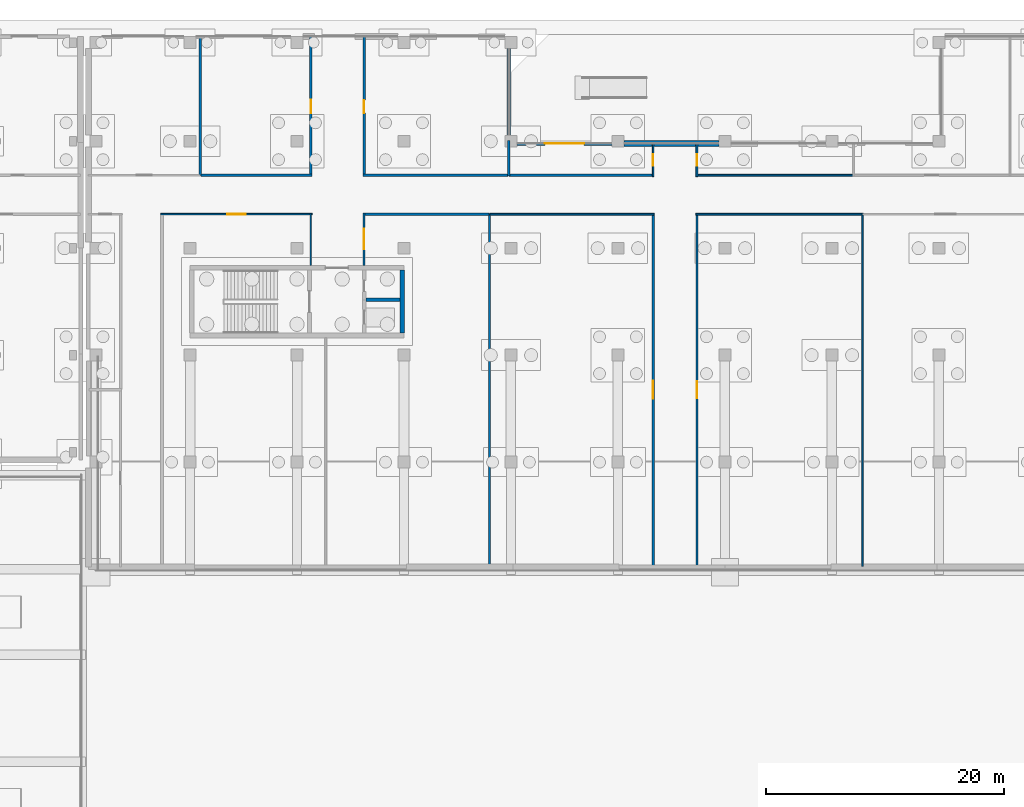
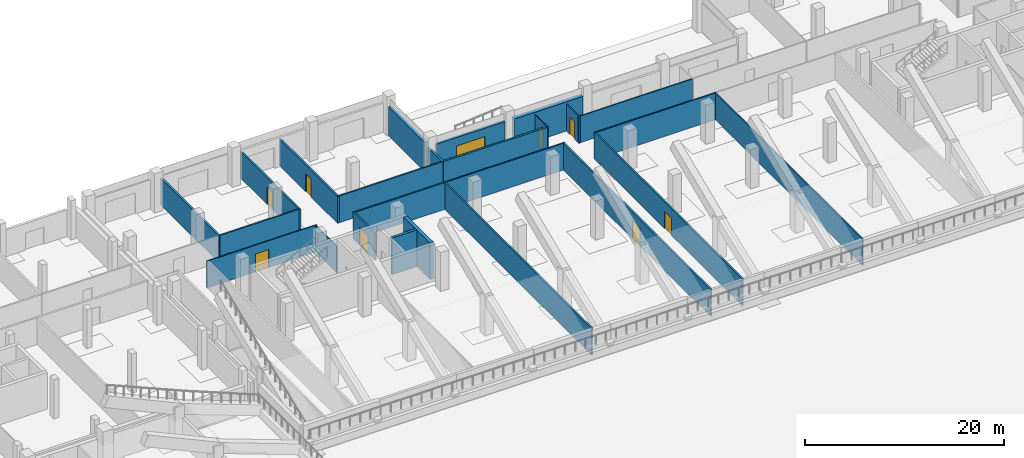
# One storey, part 35 of 53: 25 walls, 9 doors, 9 openings.
"""IFC4 building model written with IfcOpenShell, lengths in metres."""

from ifc_helpers import new_model, si_unit, direction, frame, frame_2d, origin, place, context, subcontext, project, spatial, rectangle, extrude, material, layer, layer_set, type_object, element, fill, save


model = new_model("IFC4")

# Units and contexts
model_context = context("Model", 3, precision=1e-05, world=origin(), true_north=direction((0.0, 1.0)))
body_context = subcontext(model_context, "Body", "Model", "MODEL_VIEW")
ifc_project = project(units=[si_unit("LENGTHUNIT", "METRE"), si_unit("AREAUNIT", "SQUARE_METRE"), si_unit("VOLUMEUNIT", "CUBIC_METRE"), si_unit("PLANEANGLEUNIT", "RADIAN"), si_unit("MASSUNIT", "GRAM", prefix="KILO"), si_unit("THERMODYNAMICTEMPERATUREUNIT", "KELVIN"), si_unit("POWERUNIT", "WATT")], contexts=[model_context])

# Site, building, storey
site_placement = place(None, origin())
site = spatial("IfcSite", under=ifc_project, at=site_placement, CompositionType="ELEMENT")
building_placement = place(site_placement, origin())
building = spatial("IfcBuilding", under=site, at=building_placement, Name="Sindhuravela Promenade Stadium", CompositionType="ELEMENT")
storey_placement = place(building_placement, origin())
storey = spatial("IfcBuildingStorey", under=building, at=storey_placement, Name="L00", CompositionType="ELEMENT", Elevation=0.0)

# Wall, opening, door
ifc_material_1 = material(Name="Dholpur sandstone ashlar (45 MPa)", Category="masonry")
ifc_layer_1 = layer(ifc_material_1, 0.2900390625)
ifc_layer_set_1 = layer_set([ifc_layer_1], Name="Dholpur sandstone ashlar (45 MPa)")
wall_type_1 = type_object("IfcWallType", Name="EX-WL-SND290", PredefinedType="SOLIDWALL", material=ifc_layer_set_1)
wall_1_placement = place(storey_placement, frame((90.5048828125, 152.800048828125, 0.0), z_axis=(0.0, 0.0, 1.0), x_axis=(1.0, 0.0, 0.0)))
wall_1 = element("IfcWall", 1, at=wall_1_placement, inside=storey, type_object=wall_type_1, Name="Exterior masonry wall EW10 NORTH L00", PredefinedType="SOLIDWALL", context=body_context, shape_type="SweptSolid", body=[
    extrude(rectangle(XDim=7.990234375, YDim=0.2900390625, at=frame_2d((3.9951171875, 0.0))), origin(), (0.0, 0.0, 1.0), 3.580078125),
])
opening_1_placement = place(wall_1_placement, frame((2.344970703125, 0.0, 0.0)))
opening_1 = element("IfcOpeningElement", 2, at=opening_1_placement, cuts=wall_1, Name="Opening E20", PredefinedType="OPENING", context=body_context, shape_type="SweptSolid", body=[
    extrude(rectangle(XDim=3.300048828125, YDim=2.550048828125, at=frame_2d((1.64990234375, 1.27490234375))), frame((0.0, 0.155029296875, 0.0), z_axis=(0.0, -1.0, 0.0), x_axis=(1.0, 0.0, 0.0)), (0.0, 0.0, 1.0), 0.31005859375),
])
ifc_material_2 = material(Name="Anodised architectural aluminium 6063-T6", Category="aluminium")
door_type_1 = type_object("IfcDoorType", Name="DR-EXIT-3300x2550", OperationType="DOUBLE_DOOR_SINGLE_SWING", PredefinedType="DOOR", material=ifc_material_2)
door_1_placement = place(opening_1_placement, origin())
door_1 = element("IfcDoor", 3, at=door_1_placement, inside=storey, type_object=door_type_1, Name="Final exit door E20", OperationType="DOUBLE_DOOR_SINGLE_SWING", OverallHeight=2.550048828125, OverallWidth=3.300048828125, PredefinedType="DOOR", context=body_context, shape_type="SweptSolid", body=[
    extrude(rectangle(XDim=3.300048828125, YDim=2.550048828125, at=frame_2d((1.64990234375, 1.27490234375))), frame((0.0, 0.02490234375, 0.0), z_axis=(0.0, -1.0, 0.0), x_axis=(1.0, 0.0, 0.0)), (0.0, 0.0, 1.0), 0.050048828125),
])
fill(opening_1, door_1)

# Walls
ifc_layer_2 = layer(ifc_material_1, 0.31005859375)
ifc_layer_set_2 = layer_set([ifc_layer_2], Name="Dholpur sandstone ashlar (45 MPa)")
wall_type_2 = type_object("IfcWallType", Name="EX-WL-SND310", PredefinedType="SOLIDWALL", material=ifc_layer_set_2)
wall_2_placement = place(storey_placement, frame((89.800048828125, 160.794921875, 0.0), z_axis=(0.0, 0.0, 1.0), x_axis=(0.0, -1.0, 0.0)))
element("IfcWall", 4, at=wall_2_placement, inside=storey, type_object=wall_type_2, Name="Exterior masonry wall EW09 NORTH L00", PredefinedType="SOLIDWALL", context=body_context, shape_type="SweptSolid", body=[
    extrude(rectangle(XDim=7.2900390625, YDim=0.31005859375, at=frame_2d((3.64501953125, 0.0))), origin(), (0.0, 0.0, 1.0), 3.580078125),
])
ifc_layer_3 = layer(ifc_material_1, 0.5)
ifc_layer_set_3 = layer_set([ifc_layer_3], Name="Dholpur sandstone ashlar (45 MPa)")
wall_type_3 = type_object("IfcWallType", Name="EX-WL-SND500", PredefinedType="SOLIDWALL", material=ifc_layer_set_3)
wall_3_placement = place(storey_placement, frame((99.5048828125, 152.800048828125, 0.0), z_axis=(0.0, 0.0, 1.0), x_axis=(1.0, 0.0, 0.0)))
element("IfcWall", 5, at=wall_3_placement, inside=storey, type_object=wall_type_3, Name="Exterior masonry wall EW07 NORTH L00", PredefinedType="SOLIDWALL", context=body_context, shape_type="SweptSolid", body=[
    extrude(rectangle(XDim=7.990234375, YDim=0.5, at=frame_2d((3.9951171875, 0.0))), origin(), (0.0, 0.0, 1.0), 3.580078125),
])
ifc_material_3 = material(Name="Fire-rated gypsum partition board", Category="gypsum")
ifc_layer_4 = layer(ifc_material_3, 0.110107421875)
ifc_layer_set_4 = layer_set([ifc_layer_4], Name="Fire-rated gypsum partition board")
wall_type_4 = type_object("IfcWallType", Name="IN-WL-PAR110", PredefinedType="PARTITIONING", material=ifc_layer_set_4)
wall_4_placement = place(storey_placement, frame((73.159912109375, 146.93994140625, 0.0), z_axis=(0.0, 0.0, 1.0), x_axis=(0.0, -1.0, 0.0)))
element("IfcWall", 6, at=wall_4_placement, inside=storey, type_object=wall_type_4, Name="Interior partition IW06 NORTH L00", PredefinedType="PARTITIONING", context=body_context, shape_type="SweptSolid", body=[
    extrude(rectangle(XDim=4.387939453125, YDim=0.110107421875, at=frame_2d((2.19384765625, 0.0))), origin(), (0.0, 0.0, 1.0), 3.280029296875),
])

# Wall, opening, door
wall_5_placement = place(storey_placement, frame((101.9599609375, 150.02001953125, 0.0), z_axis=(0.0, 0.0, 1.0), x_axis=(0.0, 1.0, 0.0)))
wall_5 = element("IfcWall", 7, at=wall_5_placement, inside=storey, type_object=wall_type_4, Name="Corridor partition IW06 Electrical Substation Switch Room 11", PredefinedType="PARTITIONING", context=body_context, shape_type="SweptSolid", body=[
    extrude(rectangle(XDim=2.780029296875, YDim=0.110107421875, at=frame_2d((1.39013671875, 0.0))), origin(), (0.0, 0.0, 1.0), 3.280029296875),
])
opening_2_placement = place(wall_5_placement, frame((0.9150390625, 0.0, 0.0)))
opening_2 = element("IfcOpeningElement", 8, at=opening_2_placement, cuts=wall_5, Name="Opening ID10", PredefinedType="OPENING", context=body_context, shape_type="SweptSolid", body=[
    extrude(rectangle(XDim=0.949951171875, YDim=2.179931640625, at=frame_2d((0.47509765625, 1.08984375))), frame((0.0, 0.06494140625, 0.0), z_axis=(0.0, -1.0, 0.0), x_axis=(1.0, 0.0, 0.0)), (0.0, 0.0, 1.0), 0.130126953125),
])
ifc_material_4 = material(Name="Architectural teak timber leaf", Category="wood")
door_type_2 = type_object("IfcDoorType", Name="DR-INT-950x2180", OperationType="NOTDEFINED", PredefinedType="DOOR", material=ifc_material_4)
door_2_placement = place(opening_2_placement, origin())
door_2 = element("IfcDoor", 9, at=door_2_placement, inside=storey, type_object=door_type_2, Name="Electrical Substation Switch Room 11 door", OperationType="SINGLE_SWING_RIGHT", OverallHeight=2.179931640625, OverallWidth=0.949951171875, PredefinedType="DOOR", context=body_context, shape_type="SweptSolid", body=[
    extrude(rectangle(XDim=0.949951171875, YDim=2.179931640625, at=frame_2d((0.47509765625, 1.08984375))), frame((0.0, 0.02490234375, 0.0), z_axis=(0.0, -1.0, 0.0), x_axis=(1.0, 0.0, 0.0)), (0.0, 0.0, 1.0), 0.050048828125),
])
fill(opening_2, door_2)

# Wall
ifc_layer_5 = layer(ifc_material_3, 0.1298828125)
ifc_layer_set_5 = layer_set([ifc_layer_5], Name="Fire-rated gypsum partition board")
wall_type_5 = type_object("IfcWallType", Name="IN-WL-PAR130", PredefinedType="PARTITIONING", material=ifc_layer_set_5)
wall_6_placement = place(storey_placement, frame((119.58740234375, 146.93994140625, 0.0), z_axis=(0.0, 0.0, 1.0), x_axis=(0.0, -1.0, 0.0)))
element("IfcWall", 10, at=wall_6_placement, inside=storey, type_object=wall_type_5, Name="Interior partition IW05 NORTH L00", PredefinedType="PARTITIONING", context=body_context, shape_type="SweptSolid", body=[
    extrude(rectangle(XDim=29.699951171875, YDim=0.1298828125, at=frame_2d((14.85009765625, 0.0))), origin(), (0.0, 0.0, 1.0), 3.280029296875),
])

# Wall, opening, door
wall_7_placement = place(storey_placement, frame((73.280029296875, 146.860107421875, 0.0), z_axis=(0.0, 0.0, 1.0), x_axis=(-1.0, 0.0, 0.0)))
wall_7 = element("IfcWall", 11, at=wall_7_placement, inside=storey, type_object=wall_type_5, Name="Corridor partition IW05 Accessible WC North L00", PredefinedType="PARTITIONING", context=body_context, shape_type="SweptSolid", body=[
    extrude(rectangle(XDim=12.760009765625, YDim=0.1298828125, at=frame_2d((6.3798828125, 0.0))), origin(), (0.0, 0.0, 1.0), 3.280029296875),
])
opening_3_placement = place(wall_7_placement, frame((5.60498046875, 0.0, 0.0)))
opening_3 = element("IfcOpeningElement", 12, at=opening_3_placement, cuts=wall_7, Name="Opening ID02", PredefinedType="OPENING", context=body_context, shape_type="SweptSolid", body=[
    extrude(rectangle(XDim=1.550048828125, YDim=2.199951171875, at=frame_2d((0.77490234375, 1.10009765625))), frame((0.0, 0.074951171875, 0.0), z_axis=(0.0, -1.0, 0.0), x_axis=(1.0, 0.0, 0.0)), (0.0, 0.0, 1.0), 0.14990234375),
])
door_type_3 = type_object("IfcDoorType", Name="DR-INT-1550x2200", OperationType="DOUBLE_DOOR_SINGLE_SWING", PredefinedType="DOOR", material=ifc_material_4)
door_3_placement = place(opening_3_placement, origin())
door_3 = element("IfcDoor", 13, at=door_3_placement, inside=storey, type_object=door_type_3, Name="Accessible WC North L00 door", OperationType="DOUBLE_DOOR_SINGLE_SWING", OverallHeight=2.199951171875, OverallWidth=1.550048828125, PredefinedType="DOOR", context=body_context, shape_type="SweptSolid", body=[
    extrude(rectangle(XDim=1.550048828125, YDim=2.199951171875, at=frame_2d((0.77490234375, 1.10009765625))), frame((0.0, 0.02490234375, 0.0), z_axis=(0.0, -1.0, 0.0), x_axis=(1.0, 0.0, 0.0)), (0.0, 0.0, 1.0), 0.050048828125),
])
fill(opening_3, door_3)

# Walls
wall_8_placement = place(storey_placement, frame((118.773193359375, 150.139892578125, 0.0), z_axis=(0.0, 0.0, 1.0), x_axis=(-1.0, 0.0, 0.0)))
element("IfcWall", 14, at=wall_8_placement, inside=storey, type_object=wall_type_5, Name="Interior partition IW05 NORTH L00", PredefinedType="PARTITIONING", context=body_context, shape_type="SweptSolid", body=[
    extrude(rectangle(XDim=13.213134765625, YDim=0.1298828125, at=frame_2d((6.6064453125, 0.0))), origin(), (0.0, 0.0, 1.0), 3.280029296875),
])
ifc_layer_6 = layer(ifc_material_3, 0.14990234375)
ifc_layer_set_6 = layer_set([ifc_layer_6], Name="Fire-rated gypsum partition board")
wall_type_6 = type_object("IfcWallType", Name="IN-WL-PAR150", PredefinedType="PARTITIONING", material=ifc_layer_set_6)
wall_9_placement = place(storey_placement, frame((105.56005859375, 146.860107421875, 0.0), z_axis=(0.0, 0.0, 1.0), x_axis=(1.0, 0.0, 0.0)))
element("IfcWall", 15, at=wall_9_placement, inside=storey, type_object=wall_type_6, Name="Interior partition IW04 NORTH L00", PredefinedType="PARTITIONING", context=body_context, shape_type="SweptSolid", body=[
    extrude(rectangle(XDim=13.987548828125, YDim=0.14990234375, at=frame_2d((6.99365234375, 0.0))), origin(), (0.0, 0.0, 1.0), 3.280029296875),
])
wall_10_placement = place(storey_placement, frame((88.226806640625, 146.860107421875, 0.0), z_axis=(0.0, 0.0, 1.0), x_axis=(1.0, 0.0, 0.0)))
element("IfcWall", 16, at=wall_10_placement, inside=storey, type_object=wall_type_6, Name="Interior partition IW04 NORTH L00", PredefinedType="PARTITIONING", context=body_context, shape_type="SweptSolid", body=[
    extrude(rectangle(XDim=13.813232421875, YDim=0.14990234375, at=frame_2d((6.90673828125, 0.0))), origin(), (0.0, 0.0, 1.0), 3.280029296875),
])

# Wall, opening, door
wall_11_placement = place(storey_placement, frame((105.639892578125, 152.800048828125, 0.0), z_axis=(0.0, 0.0, 1.0), x_axis=(0.0, -1.0, 0.0)))
wall_11 = element("IfcWall", 17, at=wall_11_placement, inside=storey, type_object=wall_type_6, Name="Corridor partition IW04 Grounds Equipment Store 10", PredefinedType="PARTITIONING", context=body_context, shape_type="SweptSolid", body=[
    extrude(rectangle(XDim=2.780029296875, YDim=0.14990234375, at=frame_2d((1.39013671875, 0.0))), origin(), (0.0, 0.0, 1.0), 3.280029296875),
])
opening_4_placement = place(wall_11_placement, frame((0.9150390625, 0.0, 0.0)))
opening_4 = element("IfcOpeningElement", 18, at=opening_4_placement, cuts=wall_11, Name="Opening ID09", PredefinedType="OPENING", context=body_context, shape_type="SweptSolid", body=[
    extrude(rectangle(XDim=0.949951171875, YDim=2.10009765625, at=frame_2d((0.47509765625, 1.050048828125))), frame((0.0, 0.0849609375, 0.0), z_axis=(0.0, -1.0, 0.0), x_axis=(1.0, 0.0, 0.0)), (0.0, 0.0, 1.0), 0.169921875),
])
door_type_4 = type_object("IfcDoorType", Name="DR-INT-950x2100", OperationType="NOTDEFINED", PredefinedType="DOOR", material=ifc_material_4)
door_4_placement = place(opening_4_placement, origin())
door_4 = element("IfcDoor", 19, at=door_4_placement, inside=storey, type_object=door_type_4, Name="Grounds Equipment Store 10 door", OperationType="SINGLE_SWING_LEFT", OverallHeight=2.10009765625, OverallWidth=0.949951171875, PredefinedType="DOOR", context=body_context, shape_type="SweptSolid", body=[
    extrude(rectangle(XDim=0.949951171875, YDim=2.10009765625, at=frame_2d((0.47509765625, 1.050048828125))), frame((0.0, 0.02490234375, 0.0), z_axis=(0.0, -1.0, 0.0), x_axis=(1.0, 0.0, 0.0)), (0.0, 0.0, 1.0), 0.050048828125),
])
fill(opening_4, door_4)

ifc_layer_7 = layer(ifc_material_3, 0.175048828125)
ifc_layer_set_7 = layer_set([ifc_layer_7], Name="Fire-rated gypsum partition board")
wall_type_7 = type_object("IfcWallType", Name="IN-WL-PAR175", PredefinedType="PARTITIONING", material=ifc_layer_set_7)
wall_12_placement = place(storey_placement, frame((105.639892578125, 146.97998046875, 0.0), z_axis=(0.0, 0.0, 1.0), x_axis=(0.0, -1.0, 0.0)))
wall_12 = element("IfcWall", 20, at=wall_12_placement, inside=storey, type_object=wall_type_7, Name="Corridor partition IW03 North Field Concourse Hall", PredefinedType="PARTITIONING", context=body_context, shape_type="SweptSolid", body=[
    extrude(rectangle(XDim=29.780029296875, YDim=0.175048828125, at=frame_2d((14.89013671875, 0.0))), origin(), (0.0, 0.0, 1.0), 3.280029296875),
])
opening_5_placement = place(wall_12_placement, frame((14.18994140625, 0.0, 0.0)))
opening_5 = element("IfcOpeningElement", 21, at=opening_5_placement, cuts=wall_12, Name="Opening ID03", PredefinedType="OPENING", context=body_context, shape_type="SweptSolid", body=[
    extrude(rectangle(XDim=1.39990234375, YDim=2.14990234375, at=frame_2d((0.699951171875, 1.074951171875))), frame((0.0, 0.097412109375, 0.0), z_axis=(0.0, -1.0, 0.0), x_axis=(1.0, 0.0, 0.0)), (0.0, 0.0, 1.0), 0.195068359375),
])
door_type_5 = type_object("IfcDoorType", Name="DR-INT-1400x2150", OperationType="DOUBLE_DOOR_SINGLE_SWING", PredefinedType="DOOR", material=ifc_material_4)
door_5_placement = place(opening_5_placement, origin())
door_5 = element("IfcDoor", 22, at=door_5_placement, inside=storey, type_object=door_type_5, Name="North Field Concourse Hall door", OperationType="DOUBLE_DOOR_SINGLE_SWING", OverallHeight=2.14990234375, OverallWidth=1.39990234375, PredefinedType="DOOR", context=body_context, shape_type="SweptSolid", body=[
    extrude(rectangle(XDim=1.39990234375, YDim=2.14990234375, at=frame_2d((0.699951171875, 1.074951171875))), frame((0.0, 0.02490234375, 0.0), z_axis=(0.0, -1.0, 0.0), x_axis=(1.0, 0.0, 0.0)), (0.0, 0.0, 1.0), 0.050048828125),
])
fill(opening_5, door_5)

# Walls
wall_13_placement = place(storey_placement, frame((88.186767578125, 117.239990234375, 0.0), z_axis=(0.0, 0.0, 1.0), x_axis=(0.0, 1.0, 0.0)))
element("IfcWall", 23, at=wall_13_placement, inside=storey, type_object=wall_type_7, Name="Interior partition IW03 NORTH L00", PredefinedType="PARTITIONING", context=body_context, shape_type="SweptSolid", body=[
    extrude(rectangle(XDim=29.699951171875, YDim=0.175048828125, at=frame_2d((14.85009765625, 0.0))), origin(), (0.0, 0.0, 1.0), 3.280029296875),
])
wall_14_placement = place(storey_placement, frame((77.56005859375, 146.860107421875, 0.0), z_axis=(0.0, 0.0, 1.0), x_axis=(1.0, 0.0, 0.0)))
element("IfcWall", 24, at=wall_14_placement, inside=storey, type_object=wall_type_7, Name="Interior partition IW03 NORTH L00", PredefinedType="PARTITIONING", context=body_context, shape_type="SweptSolid", body=[
    extrude(rectangle(XDim=10.586669921875, YDim=0.175048828125, at=frame_2d((5.29345703125, 0.0))), origin(), (0.0, 0.0, 1.0), 3.280029296875),
])
wall_15_placement = place(storey_placement, frame((89.760009765625, 150.139892578125, 0.0), z_axis=(0.0, 0.0, 1.0), x_axis=(-1.0, 0.0, 0.0)))
element("IfcWall", 25, at=wall_15_placement, inside=storey, type_object=wall_type_7, Name="Interior partition IW03 NORTH L00", PredefinedType="PARTITIONING", context=body_context, shape_type="SweptSolid", body=[
    extrude(rectangle(XDim=12.199951171875, YDim=0.175048828125, at=frame_2d((6.10009765625, 0.0))), origin(), (0.0, 0.0, 1.0), 3.280029296875),
])
wall_16_placement = place(storey_placement, frame((73.239990234375, 150.139892578125, 0.0), z_axis=(0.0, 0.0, 1.0), x_axis=(-1.0, 0.0, 0.0)))
element("IfcWall", 26, at=wall_16_placement, inside=storey, type_object=wall_type_7, Name="Interior partition IW03 NORTH L00", PredefinedType="PARTITIONING", context=body_context, shape_type="SweptSolid", body=[
    extrude(rectangle(XDim=9.3349609375, YDim=0.175048828125, at=frame_2d((4.66748046875, 0.0))), origin(), (0.0, 0.0, 1.0), 3.280029296875),
])

# Wall, opening, door
ifc_layer_8 = layer(ifc_material_3, 0.195068359375)
ifc_layer_set_8 = layer_set([ifc_layer_8], Name="Fire-rated gypsum partition board")
wall_type_8 = type_object("IfcWallType", Name="IN-WL-PAR195", PredefinedType="PARTITIONING", material=ifc_layer_set_8)
wall_17_placement = place(storey_placement, frame((101.9599609375, 117.199951171875, 0.0), z_axis=(0.0, 0.0, 1.0), x_axis=(0.0, 1.0, 0.0)))
wall_17 = element("IfcWall", 27, at=wall_17_placement, inside=storey, type_object=wall_type_8, Name="Corridor partition IW02 Electrical Substation Switch Room", PredefinedType="PARTITIONING", context=body_context, shape_type="SweptSolid", body=[
    extrude(rectangle(XDim=29.780029296875, YDim=0.195068359375, at=frame_2d((14.89013671875, 0.0))), origin(), (0.0, 0.0, 1.0), 3.280029296875),
])
opening_6_placement = place(wall_17_placement, frame((14.114990234375, 0.0, 0.0)))
opening_6 = element("IfcOpeningElement", 28, at=opening_6_placement, cuts=wall_17, Name="Opening ID02", PredefinedType="OPENING", context=body_context, shape_type="SweptSolid", body=[
    extrude(rectangle(XDim=1.550048828125, YDim=2.199951171875, at=frame_2d((0.77490234375, 1.10009765625))), frame((0.0, 0.107421875, 0.0), z_axis=(0.0, -1.0, 0.0), x_axis=(1.0, 0.0, 0.0)), (0.0, 0.0, 1.0), 0.215087890625),
])
door_6_placement = place(opening_6_placement, origin())
door_6 = element("IfcDoor", 29, at=door_6_placement, inside=storey, type_object=door_type_3, Name="Electrical Substation Switch Room door", OperationType="DOUBLE_DOOR_SINGLE_SWING", OverallHeight=2.199951171875, OverallWidth=1.550048828125, PredefinedType="DOOR", context=body_context, shape_type="SweptSolid", body=[
    extrude(rectangle(XDim=1.550048828125, YDim=2.199951171875, at=frame_2d((0.77490234375, 1.10009765625))), frame((0.0, 0.02490234375, 0.0), z_axis=(0.0, -1.0, 0.0), x_axis=(1.0, 0.0, 0.0)), (0.0, 0.0, 1.0), 0.050048828125),
])
fill(opening_6, door_6)

wall_18_placement = place(storey_placement, frame((77.639892578125, 146.97998046875, 0.0), z_axis=(0.0, 0.0, 1.0), x_axis=(0.0, -1.0, 0.0)))
wall_18 = element("IfcWall", 30, at=wall_18_placement, inside=storey, type_object=wall_type_8, Name="Corridor partition IW02 Spectator First Aid Room North", PredefinedType="PARTITIONING", context=body_context, shape_type="SweptSolid", body=[
    extrude(rectangle(XDim=4.427978515625, YDim=0.195068359375, at=frame_2d((2.2138671875, 0.0))), origin(), (0.0, 0.0, 1.0), 3.280029296875),
])
opening_7_placement = place(wall_18_placement, frame((1.35009765625, 0.0, 0.0)))
opening_7 = element("IfcOpeningElement", 31, at=opening_7_placement, cuts=wall_18, Name="Opening ID01", PredefinedType="OPENING", context=body_context, shape_type="SweptSolid", body=[
    extrude(rectangle(XDim=1.699951171875, YDim=2.199951171875, at=frame_2d((0.85009765625, 1.10009765625))), frame((0.0, 0.107421875, 0.0), z_axis=(0.0, -1.0, 0.0), x_axis=(1.0, 0.0, 0.0)), (0.0, 0.0, 1.0), 0.215087890625),
])
door_type_6 = type_object("IfcDoorType", Name="DR-INT-1700x2200", OperationType="DOUBLE_DOOR_SINGLE_SWING", PredefinedType="DOOR", material=ifc_material_4)
door_7_placement = place(opening_7_placement, origin())
door_7 = element("IfcDoor", 32, at=door_7_placement, inside=storey, type_object=door_type_6, Name="Spectator First Aid Room North door", OperationType="DOUBLE_DOOR_SINGLE_SWING", OverallHeight=2.199951171875, OverallWidth=1.699951171875, PredefinedType="DOOR", context=body_context, shape_type="SweptSolid", body=[
    extrude(rectangle(XDim=1.699951171875, YDim=2.199951171875, at=frame_2d((0.85009765625, 1.10009765625))), frame((0.0, 0.02490234375, 0.0), z_axis=(0.0, -1.0, 0.0), x_axis=(1.0, 0.0, 0.0)), (0.0, 0.0, 1.0), 0.050048828125),
])
fill(opening_7, door_7)

# Wall
wall_19_placement = place(storey_placement, frame((89.800048828125, 153.080078125, 0.0), z_axis=(0.0, 0.0, 1.0), x_axis=(0.0, -1.0, 0.0)))
element("IfcWall", 33, at=wall_19_placement, inside=storey, type_object=wall_type_8, Name="Interior partition IW02 NORTH L00", PredefinedType="PARTITIONING", context=body_context, shape_type="SweptSolid", body=[
    extrude(rectangle(XDim=3.02001953125, YDim=0.195068359375, at=frame_2d((1.510009765625, 0.0))), origin(), (0.0, 0.0, 1.0), 3.280029296875),
])

# Wall, opening, door
wall_20_placement = place(storey_placement, frame((73.159912109375, 150.02001953125, 0.0), z_axis=(0.0, 0.0, 1.0), x_axis=(0.0, 1.0, 0.0)))
wall_20 = element("IfcWall", 34, at=wall_20_placement, inside=storey, type_object=wall_type_8, Name="Corridor partition IW02 Spectator First Aid Room North 6", PredefinedType="PARTITIONING", context=body_context, shape_type="SweptSolid", body=[
    extrude(rectangle(XDim=11.780029296875, YDim=0.195068359375, at=frame_2d((5.89013671875, 0.0))), origin(), (0.0, 0.0, 1.0), 3.280029296875),
])
opening_8_placement = place(wall_20_placement, frame((5.31494140625, 0.0, 0.0)))
opening_8 = element("IfcOpeningElement", 35, at=opening_8_placement, cuts=wall_20, Name="Opening ID05", PredefinedType="OPENING", context=body_context, shape_type="SweptSolid", body=[
    extrude(rectangle(XDim=1.14990234375, YDim=2.14990234375, at=frame_2d((0.574951171875, 1.074951171875))), frame((0.0, 0.107421875, 0.0), z_axis=(0.0, -1.0, 0.0), x_axis=(1.0, 0.0, 0.0)), (0.0, 0.0, 1.0), 0.215087890625),
])
door_type_7 = type_object("IfcDoorType", Name="DR-INT-1150x2150", OperationType="NOTDEFINED", PredefinedType="DOOR", material=ifc_material_4)
door_8_placement = place(opening_8_placement, origin())
door_8 = element("IfcDoor", 36, at=door_8_placement, inside=storey, type_object=door_type_7, Name="Spectator First Aid Room North 6 door", OperationType="SINGLE_SWING_LEFT", OverallHeight=2.14990234375, OverallWidth=1.14990234375, PredefinedType="DOOR", context=body_context, shape_type="SweptSolid", body=[
    extrude(rectangle(XDim=1.14990234375, YDim=2.14990234375, at=frame_2d((0.574951171875, 1.074951171875))), frame((0.0, 0.02490234375, 0.0), z_axis=(0.0, -1.0, 0.0), x_axis=(1.0, 0.0, 0.0)), (0.0, 0.0, 1.0), 0.050048828125),
])
fill(opening_8, door_8)

ifc_layer_9 = layer(ifc_material_3, 0.219970703125)
ifc_layer_set_9 = layer_set([ifc_layer_9], Name="Fire-rated gypsum partition board")
wall_type_9 = type_object("IfcWallType", Name="IN-WL-PAR220", PredefinedType="PARTITIONING", material=ifc_layer_set_9)
wall_21_placement = place(storey_placement, frame((77.639892578125, 161.800048828125, 0.0), z_axis=(0.0, 0.0, 1.0), x_axis=(0.0, -1.0, 0.0)))
wall_21 = element("IfcWall", 37, at=wall_21_placement, inside=storey, type_object=wall_type_9, Name="Corridor partition IW01 Grounds Equipment Store 3", PredefinedType="PARTITIONING", context=body_context, shape_type="SweptSolid", body=[
    extrude(rectangle(XDim=11.780029296875, YDim=0.219970703125, at=frame_2d((5.89013671875, 0.0))), origin(), (0.0, 0.0, 1.0), 3.280029296875),
])
opening_9_placement = place(wall_21_placement, frame((5.35009765625, 0.0, 0.0)))
opening_9 = element("IfcOpeningElement", 38, at=opening_9_placement, cuts=wall_21, Name="Opening ID12", PredefinedType="OPENING", context=body_context, shape_type="SweptSolid", body=[
    extrude(rectangle(XDim=1.080078125, YDim=2.179931640625, at=frame_2d((0.5400390625, 1.08984375))), frame((0.0, 0.119873046875, 0.0), z_axis=(0.0, -1.0, 0.0), x_axis=(1.0, 0.0, 0.0)), (0.0, 0.0, 1.0), 0.239990234375),
])
door_type_8 = type_object("IfcDoorType", Name="DR-INT-1080x2180", OperationType="NOTDEFINED", PredefinedType="DOOR", material=ifc_material_4)
door_9_placement = place(opening_9_placement, origin())
door_9 = element("IfcDoor", 39, at=door_9_placement, inside=storey, type_object=door_type_8, Name="Grounds Equipment Store 3 door", OperationType="SINGLE_SWING_RIGHT", OverallHeight=2.179931640625, OverallWidth=1.080078125, PredefinedType="DOOR", context=body_context, shape_type="SweptSolid", body=[
    extrude(rectangle(XDim=1.080078125, YDim=2.179931640625, at=frame_2d((0.5400390625, 1.08984375))), frame((0.0, 0.02490234375, 0.0), z_axis=(0.0, -1.0, 0.0), x_axis=(1.0, 0.0, 0.0)), (0.0, 0.0, 1.0), 0.050048828125),
])
fill(opening_9, door_9)

# Walls
wall_22_placement = place(storey_placement, frame((63.864990234375, 161.760009765625, 0.0), z_axis=(0.0, 0.0, 1.0), x_axis=(0.0, -1.0, 0.0)))
element("IfcWall", 40, at=wall_22_placement, inside=storey, type_object=wall_type_9, Name="Interior partition IW01 NORTH L00", PredefinedType="PARTITIONING", context=body_context, shape_type="SweptSolid", body=[
    extrude(rectangle(XDim=11.699951171875, YDim=0.219970703125, at=frame_2d((5.85009765625, 0.0))), origin(), (0.0, 0.0, 1.0), 3.280029296875),
])
wall_23_placement = place(storey_placement, frame((102.0400390625, 150.139892578125, 0.0), z_axis=(0.0, 0.0, 1.0), x_axis=(-1.0, 0.0, 0.0)))
element("IfcWall", 41, at=wall_23_placement, inside=storey, type_object=wall_type_9, Name="Interior partition IW01 NORTH L00", PredefinedType="PARTITIONING", context=body_context, shape_type="SweptSolid", body=[
    extrude(rectangle(XDim=12.199951171875, YDim=0.219970703125, at=frame_2d((6.10009765625, 0.0))), origin(), (0.0, 0.0, 1.0), 3.280029296875),
])
ifc_material_5 = material(Name="Concrete M50", Category="concrete")
ifc_layer_10 = layer(ifc_material_5, 0.300048828125)
ifc_layer_set_10 = layer_set([ifc_layer_10], Name="Concrete M50")
wall_type_10 = type_object("IfcWallType", Name="RC-SW-300", PredefinedType="SHEAR", material=ifc_layer_set_10)
wall_24_placement = place(storey_placement, frame((77.800048828125, 139.64990234375, 0.0), z_axis=(0.0, 0.0, 1.0), x_axis=(1.0, 0.0, 0.0)))
element("IfcWall", 42, at=wall_24_placement, inside=storey, type_object=wall_type_10, Name="Core shear wall C09-DIV (L00)", PredefinedType="SHEAR", context=body_context, shape_type="SweptSolid", body=[
    extrude(rectangle(XDim=2.849853515625, YDim=0.300048828125, at=frame_2d((1.4248046875, 0.0))), origin(), (0.0, 0.0, 1.0), 4.5),
])
ifc_layer_11 = layer(ifc_material_5, 0.39990234375)
ifc_layer_set_11 = layer_set([ifc_layer_11], Name="Concrete M50")
wall_type_11 = type_object("IfcWallType", Name="RC-SW-400", PredefinedType="SHEAR", material=ifc_layer_set_11)
wall_25_placement = place(storey_placement, frame((80.85009765625, 136.85009765625, 0.0), z_axis=(0.0, 0.0, 1.0), x_axis=(0.0, 1.0, 0.0)))
element("IfcWall", 43, at=wall_25_placement, inside=storey, type_object=wall_type_11, Name="Core shear wall C09-E (L00)", PredefinedType="SHEAR", context=body_context, shape_type="SweptSolid", body=[
    extrude(rectangle(XDim=5.2998046875, YDim=0.39990234375, at=frame_2d((2.64990234375, 0.0))), origin(), (0.0, 0.0, 1.0), 4.5),
])

save(model, "model.ifc")
